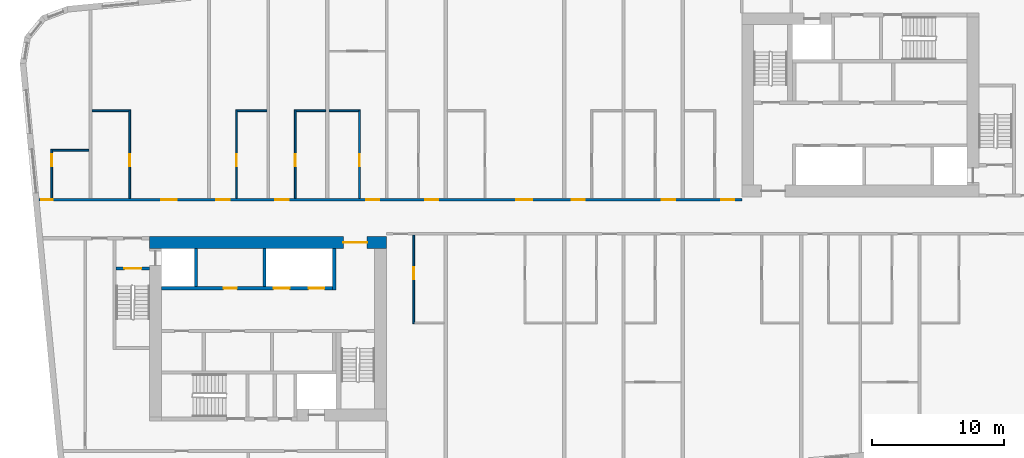
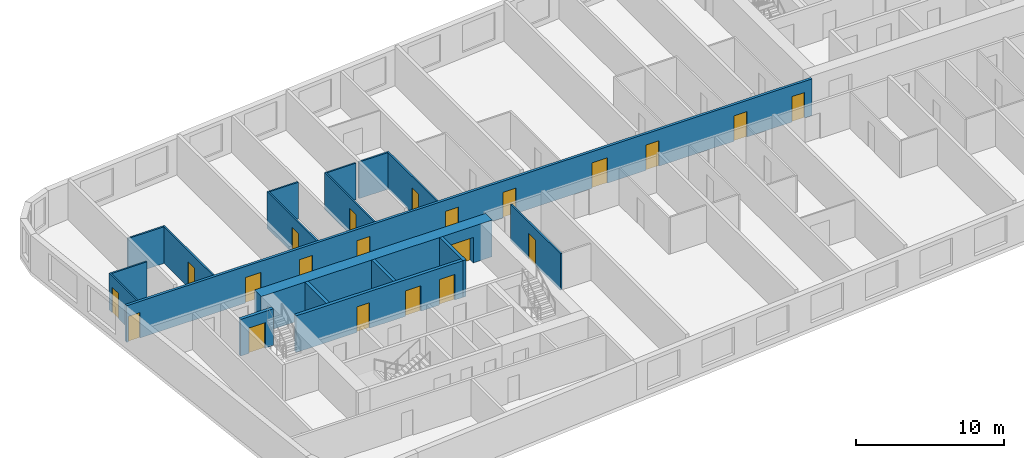
# One storey, part 3 of 12: 21 doors, 18 walls, 21 openings.
"""IFC4 building model written with IfcOpenShell, lengths in metres."""

import ifcopenshell
import ifcopenshell.guid

model = None  # the IFC model being written
_history = None  # IfcOwnerHistory: only IFC2X3 demands one
_inside = {}  # id of a spatial element -> (the spatial element, [elements in it])
_under = {}  # id of a project, library or spatial element -> (it, [spatial elements below it])
_declared = {}  # id of a project -> (the project, [libraries it declares])
_typed = {}  # id of a type object -> (the type object, [elements of that type])
_made_of = {}  # id of a material, layer set ... -> (it, [elements and type objects made of it])


def new_model(schema):
    """Start an empty IFC model of exactly this schema.

    Asked for "IFC4X3", IfcOpenShell would pick the latest addendum, in which some entities
    have other attributes; the version numbers below select the first issue.
    IFC2X3 requires an IfcOwnerHistory on every rooted entity: one is made here for all.
    """
    global model, _history
    if schema == "IFC4X3":
        model = ifcopenshell.file(schema_version=(4, 3, 0, 0))
    else:
        model = ifcopenshell.file(schema=schema)
    _inside.clear()
    _under.clear()
    _declared.clear()
    _typed.clear()
    _made_of.clear()
    _history = None
    if model.schema == "IFC2X3":
        org = make("IfcOrganization", Name="unknown")
        user = make(
            "IfcPersonAndOrganization",
            ThePerson=make("IfcPerson", FamilyName="unknown"),
            TheOrganization=org,
        )
        app = make(
            "IfcApplication",
            ApplicationDeveloper=org,
            Version="unknown",
            ApplicationFullName="unknown",
            ApplicationIdentifier="unknown",
        )
        _history = make(
            "IfcOwnerHistory",
            OwningUser=user,
            OwningApplication=app,
            ChangeAction="ADDED",
            CreationDate=0,
        )
    return model


def make(cls, **values):
    """One entity of the class cls with the attributes given. An attribute that is None is left unset."""
    return model.create_entity(
        cls, **{name: value for name, value in values.items() if value is not None}
    )


def rooted(cls, **values):
    """An entity with a GlobalId (a new one), such as an element, a storey or a relation."""
    return make(cls, GlobalId=ifcopenshell.guid.new(), OwnerHistory=_history, **values)


def si_unit(unit_type, name, prefix=None):
    """IfcSIUnit, for example si_unit("LENGTHUNIT", "METRE", prefix="MILLI")."""
    return make("IfcSIUnit", UnitType=unit_type, Prefix=prefix, Name=name)


def assignment(units):
    """IfcUnitAssignment: the units of a project."""
    return None if units is None else make("IfcUnitAssignment", Units=units)


def point(xyz):
    """IfcCartesianPoint."""
    return None if xyz is None else make("IfcCartesianPoint", Coordinates=xyz)


def direction(xyz):
    """IfcDirection."""
    return None if xyz is None else make("IfcDirection", DirectionRatios=xyz)


def frame(location, z_axis=None, x_axis=None):
    """IfcAxis2Placement3D, a coordinate frame: its origin and axes. An axis left out is left unset."""
    return make(
        "IfcAxis2Placement3D",
        Location=point(location),
        Axis=direction(z_axis),
        RefDirection=direction(x_axis),
    )


def frame_2d(location, x_axis=None):
    """IfcAxis2Placement2D, a coordinate frame in the plane: its origin and x axis."""
    return make(
        "IfcAxis2Placement2D", Location=point(location), RefDirection=direction(x_axis)
    )


def origin():
    """The frame at (0, 0, 0) with its axes left unset."""
    return frame((0.0, 0.0, 0.0))


def place(relative_to, where):
    """IfcLocalPlacement: puts the frame where relative to a parent placement (None: the world)."""
    return make(
        "IfcLocalPlacement", PlacementRelTo=relative_to, RelativePlacement=where
    )


def context(
    kind, dimensions, precision=None, world=None, true_north=None, identifier=None
):
    """IfcGeometricRepresentationContext, for example the 3D "Model" context."""
    return make(
        "IfcGeometricRepresentationContext",
        ContextIdentifier=identifier,
        ContextType=kind,
        CoordinateSpaceDimension=dimensions,
        Precision=precision,
        WorldCoordinateSystem=world,
        TrueNorth=true_north,
    )


def subcontext(parent, identifier, kind, view, scale=None):
    """IfcGeometricRepresentationSubContext, for example "Body" below "Model"."""
    return make(
        "IfcGeometricRepresentationSubContext",
        ContextIdentifier=identifier,
        ContextType=kind,
        ParentContext=parent,
        TargetScale=scale,
        TargetView=view,
    )


def project(units=None, contexts=None):
    """IfcProject with its units and contexts."""
    return rooted(
        "IfcProject",
        Name="project",
        RepresentationContexts=contexts,
        UnitsInContext=assignment(units),
    )


def spatial(cls, under=None, at=None, **own):
    """A site, building, storey or space (cls), placed at a placement, below another one or the project."""
    s = rooted(cls, ObjectPlacement=at, **own)
    if under is not None:
        _under.setdefault(under.id(), (under, []))[1].append(s)
    return s


def profile(cls, at=None, kind="AREA", **sizes):
    """A parametric profile (cls). Its sizes go by their IFC names, for example OverallWidth=200.0."""
    return make(cls, ProfileType=kind, Position=at, **sizes)


def rectangle(**sizes):
    """IfcRectangleProfileDef."""
    return profile("IfcRectangleProfileDef", **sizes)


def extrude(swept, where, along, depth):
    """IfcExtrudedAreaSolid: the profile swept, set in the frame where, extruded along a direction by depth."""
    return make(
        "IfcExtrudedAreaSolid",
        SweptArea=swept,
        Position=where,
        ExtrudedDirection=direction(along),
        Depth=depth,
    )


def shape(context_of_items, identifier, shape_type, items):
    """IfcShapeRepresentation: the items that make up one representation, for example the "Body"."""
    return make(
        "IfcShapeRepresentation",
        ContextOfItems=context_of_items,
        RepresentationIdentifier=identifier,
        RepresentationType=shape_type,
        Items=items,
    )


def material(Name=None, Category=None):
    """IfcMaterial."""
    return make("IfcMaterial", Name=Name, Category=Category)


def layer(
    of_material, thickness, ventilated=None, Name=None, Category=None, Priority=None
):
    """IfcMaterialLayer: one layer of a wall or slab, of a material (None: an air gap)."""
    return make(
        "IfcMaterialLayer",
        Material=of_material,
        LayerThickness=thickness,
        IsVentilated=ventilated,
        Name=Name,
        Category=Category,
        Priority=Priority,
    )


def layer_set(layers, Name=None):
    """IfcMaterialLayerSet."""
    return make("IfcMaterialLayerSet", MaterialLayers=layers, LayerSetName=Name)


def made_of(thing, what):
    """Note that an element or type object is made of a material, layer set ...; save() writes the relation."""
    if what is not None:
        _made_of.setdefault(what.id(), (what, []))[1].append(thing)
    return thing


def type_object(cls, material=None, **own):
    """A type object (cls), such as IfcWallType, which elements share."""
    return made_of(rooted(cls, **own), material)


def element(
    cls,
    number,
    at=None,
    inside=None,
    cuts=None,
    type_object=None,
    material=None,
    context=None,
    identifier="Body",
    shape_type=None,
    held_by="IfcProductDefinitionShape",
    body=None,
    shapes=None,
    **own,
):
    """One element of the class cls, such as IfcWall. Its Tag is "e" and its number.

    at: its placement. inside: the storey or other place that contains it. cuts: it is an
    opening in that element (IfcRelVoidsElement). A single representation is given by context,
    identifier, shape_type and body (its items); several are given by shapes. held_by: the class
    of the entity that holds the representations. save() writes the other relations.
    """
    e = rooted(cls, Tag="e%d" % number, ObjectPlacement=at, **own)
    if body is not None:
        shapes = [shape(context, identifier, shape_type, body)]
    if shapes is not None:
        e.Representation = make(held_by, Representations=shapes)
    if inside is not None:
        _inside.setdefault(inside.id(), (inside, []))[1].append(e)
    if cuts is not None:
        rooted(
            "IfcRelVoidsElement", RelatingBuildingElement=cuts, RelatedOpeningElement=e
        )
    if type_object is not None:
        _typed.setdefault(type_object.id(), (type_object, []))[1].append(e)
    return made_of(e, material)


def fill(opening, filler):
    """IfcRelFillsElement: the door or window that sits in an opening."""
    return rooted(
        "IfcRelFillsElement",
        RelatingOpeningElement=opening,
        RelatedBuildingElement=filler,
    )


def aggregate(whole, parts):
    """IfcRelAggregates: a whole, such as a stair, and the parts it consists of."""
    return rooted("IfcRelAggregates", RelatingObject=whole, RelatedObjects=parts)


def save(model, path):
    """Write the relations noted so far, then the file.

    IfcRelAggregates (storeys below a building ...), IfcRelContainedInSpatialStructure (elements
    in a storey), IfcRelDefinesByType, IfcRelAssociatesMaterial and IfcRelDeclares: one each for
    every whole, place, type object, material and project.
    """
    for whole, parts in _under.values():
        aggregate(whole, parts)
    for where, things in _inside.values():
        rooted(
            "IfcRelContainedInSpatialStructure",
            RelatedElements=things,
            RelatingStructure=where,
        )
    for kind, things in _typed.values():
        rooted("IfcRelDefinesByType", RelatedObjects=things, RelatingType=kind)
    for what, things in _made_of.values():
        rooted("IfcRelAssociatesMaterial", RelatedObjects=things, RelatingMaterial=what)
    for by, libraries in _declared.values():
        rooted("IfcRelDeclares", RelatingContext=by, RelatedDefinitions=libraries)
    model.write(path)


model = new_model("IFC4")

# Units and contexts
model_context = context("Model", 3, precision=1e-05, world=origin(), true_north=direction((0.0, 1.0)))
body_context = subcontext(model_context, "Body", "Model", "MODEL_VIEW")
ifc_project = project(units=[si_unit("LENGTHUNIT", "METRE"), si_unit("AREAUNIT", "SQUARE_METRE"), si_unit("VOLUMEUNIT", "CUBIC_METRE"), si_unit("PLANEANGLEUNIT", "RADIAN"), si_unit("MASSUNIT", "GRAM", prefix="KILO")], contexts=[model_context])

# Site, building, storey
site_placement = place(None, origin())
site = spatial("IfcSite", under=ifc_project, at=site_placement, CompositionType="ELEMENT")
building_placement = place(site_placement, origin())
building = spatial("IfcBuilding", under=site, at=building_placement, Name="Kajstack Hotel Tower", CompositionType="ELEMENT")
storey_placement = place(building_placement, frame((0.0, 0.0, 301.5)))
storey = spatial("IfcBuildingStorey", under=building, at=storey_placement, Name="L76", CompositionType="ELEMENT", Elevation=301.5)

# Wall, opening, door
ifc_material_1 = material(Name="Concrete C60/75", Category="concrete")
ifc_layer_1 = layer(ifc_material_1, 0.89990234375)
ifc_layer_set_1 = layer_set([ifc_layer_1], Name="Core wall 900")
wall_type_1 = type_object("IfcWallType", Name="Core wall 900", PredefinedType="SHEAR", material=ifc_layer_set_1)
wall_1_placement = place(storey_placement, frame((-31.5, -1.949951171875, 0.0), z_axis=(0.0, 0.0, 1.0), x_axis=(1.0, 0.0, 0.0)))
wall_1 = element("IfcWall", 1, at=wall_1_placement, inside=storey, type_object=wall_type_1, Name="Core wall W RN", PredefinedType="SHEAR", context=body_context, shape_type="SweptSolid", body=[
    extrude(rectangle(XDim=18.0, YDim=0.89990234375, at=frame_2d((9.0, 0.0))), origin(), (0.0, 0.0, 1.0), 3.02001953125),
])
opening_1_placement = place(wall_1_placement, frame((14.72509765625, 0.0, 0.0)))
opening_1 = element("IfcOpeningElement", 2, at=opening_1_placement, cuts=wall_1, Name="Opening 76W05", PredefinedType="OPENING", context=body_context, shape_type="SweptSolid", body=[
    extrude(rectangle(XDim=1.800048828125, YDim=2.10009765625, at=frame_2d((0.89990234375, 1.050048828125))), frame((0.0, 0.4599609375, 0.0), z_axis=(0.0, -1.0, 0.0), x_axis=(1.0, 0.0, 0.0)), (0.0, 0.0, 1.0), 0.919921875),
])
ifc_material_2 = material(Name="Glazed steel frame, fire-rated glass", Category="steel")
door_type_1 = type_object("IfcDoorType", Name="Lobby double door 1800", OperationType="DOUBLE_DOOR_DOUBLE_SWING", PredefinedType="DOOR", material=ifc_material_2)
door_1_placement = place(opening_1_placement, origin())
door_1 = element("IfcDoor", 3, at=door_1_placement, inside=storey, type_object=door_type_1, Name="Door 76W05", OperationType="DOUBLE_DOOR_DOUBLE_SWING", OverallHeight=2.10009765625, OverallWidth=1.800048828125, PredefinedType="DOOR", context=body_context, shape_type="SweptSolid", body=[
    extrude(rectangle(XDim=1.800048828125, YDim=2.10009765625, at=frame_2d((0.89990234375, 1.050048828125))), frame((0.0, 0.02490234375, 0.0), z_axis=(0.0, -1.0, 0.0), x_axis=(1.0, 0.0, 0.0)), (0.0, 0.0, 1.0), 0.050048828125),
])
fill(opening_1, door_1)

# Wall, openings, doors
ifc_material_3 = material(Name="Gypsum board on steel studs, mineral wool", Category="steel")
ifc_layer_2 = layer(ifc_material_3, 0.199951171875)
ifc_layer_set_2 = layer_set([ifc_layer_2], Name="Corridor wall 200")
wall_type_2 = type_object("IfcWallType", Name="Corridor wall 200", PredefinedType="PARTITIONING", material=ifc_layer_set_2)
wall_2_placement = place(storey_placement, frame((-39.908935546875, 1.300048828125, 0.0), z_axis=(0.0, 0.0, 1.0), x_axis=(1.0, 0.0, 0.0)))
wall_2 = element("IfcWall", 4, at=wall_2_placement, inside=storey, type_object=wall_type_2, Name="G-wall-L76-003", PredefinedType="PARTITIONING", context=body_context, shape_type="SweptSolid", body=[
    extrude(rectangle(XDim=53.408935546875, YDim=0.199951171875, at=frame_2d((26.70458984375, 0.0))), origin(), (0.0, 0.0, 1.0), 3.02001953125),
])
opening_2_placement = place(wall_2_placement, frame((0.14990234375, 0.0, 0.0)))
opening_2 = element("IfcOpeningElement", 5, at=opening_2_placement, cuts=wall_2, Name="Opening 76001", PredefinedType="OPENING", context=body_context, shape_type="SweptSolid", body=[
    extrude(rectangle(XDim=0.89990234375, YDim=2.10009765625, at=frame_2d((0.449951171875, 1.050048828125))), frame((0.0, 0.10986328125, 0.0), z_axis=(0.0, -1.0, 0.0), x_axis=(1.0, 0.0, 0.0)), (0.0, 0.0, 1.0), 0.219970703125),
])
opening_3_placement = place(wall_2_placement, frame((9.27099609375, 0.0, 0.0)))
opening_3 = element("IfcOpeningElement", 6, at=opening_3_placement, cuts=wall_2, Name="Opening 76003", PredefinedType="OPENING", context=body_context, shape_type="SweptSolid", body=[
    extrude(rectangle(XDim=1.199951171875, YDim=2.10009765625, at=frame_2d((0.60009765625, 1.050048828125))), frame((0.0, 0.10986328125, 0.0), z_axis=(0.0, -1.0, 0.0), x_axis=(1.0, 0.0, 0.0)), (0.0, 0.0, 1.0), 0.219970703125),
])
opening_4_placement = place(wall_2_placement, frame((13.48388671875, 0.0, 0.0)))
opening_4 = element("IfcOpeningElement", 7, at=opening_4_placement, cuts=wall_2, Name="Opening 76005", PredefinedType="OPENING", context=body_context, shape_type="SweptSolid", body=[
    extrude(rectangle(XDim=1.0, YDim=2.10009765625, at=frame_2d((0.5, 1.050048828125))), frame((0.0, 0.10986328125, 0.0), z_axis=(0.0, -1.0, 0.0), x_axis=(1.0, 0.0, 0.0)), (0.0, 0.0, 1.0), 0.219970703125),
])
opening_5_placement = place(wall_2_placement, frame((17.958984375, 0.0, 0.0)))
opening_5 = element("IfcOpeningElement", 8, at=opening_5_placement, cuts=wall_2, Name="Opening 76007", PredefinedType="OPENING", context=body_context, shape_type="SweptSolid", body=[
    extrude(rectangle(XDim=1.0, YDim=2.10009765625, at=frame_2d((0.5, 1.050048828125))), frame((0.0, 0.10986328125, 0.0), z_axis=(0.0, -1.0, 0.0), x_axis=(1.0, 0.0, 0.0)), (0.0, 0.0, 1.0), 0.219970703125),
])
opening_6_placement = place(wall_2_placement, frame((24.85888671875, 0.0, 0.0)))
opening_6 = element("IfcOpeningElement", 9, at=opening_6_placement, cuts=wall_2, Name="Opening 76009", PredefinedType="OPENING", context=body_context, shape_type="SweptSolid", body=[
    extrude(rectangle(XDim=1.0, YDim=2.10009765625, at=frame_2d((0.5, 1.050048828125))), frame((0.0, 0.10986328125, 0.0), z_axis=(0.0, -1.0, 0.0), x_axis=(1.0, 0.0, 0.0)), (0.0, 0.0, 1.0), 0.219970703125),
])
opening_7_placement = place(wall_2_placement, frame((29.333984375, 0.0, 0.0)))
opening_7 = element("IfcOpeningElement", 10, at=opening_7_placement, cuts=wall_2, Name="Opening 76012", PredefinedType="OPENING", context=body_context, shape_type="SweptSolid", body=[
    extrude(rectangle(XDim=1.0, YDim=2.10009765625, at=frame_2d((0.5, 1.050048828125))), frame((0.0, 0.10986328125, 0.0), z_axis=(0.0, -1.0, 0.0), x_axis=(1.0, 0.0, 0.0)), (0.0, 0.0, 1.0), 0.219970703125),
])
opening_8_placement = place(wall_2_placement, frame((36.27099609375, 0.0, 0.0)))
opening_8 = element("IfcOpeningElement", 11, at=opening_8_placement, cuts=wall_2, Name="Opening 76014", PredefinedType="OPENING", context=body_context, shape_type="SweptSolid", body=[
    extrude(rectangle(XDim=1.199951171875, YDim=2.10009765625, at=frame_2d((0.60009765625, 1.050048828125))), frame((0.0, 0.10986328125, 0.0), z_axis=(0.0, -1.0, 0.0), x_axis=(1.0, 0.0, 0.0)), (0.0, 0.0, 1.0), 0.219970703125),
])
opening_9_placement = place(wall_2_placement, frame((40.48388671875, 0.0, 0.0)))
opening_9 = element("IfcOpeningElement", 12, at=opening_9_placement, cuts=wall_2, Name="Opening 76016", PredefinedType="OPENING", context=body_context, shape_type="SweptSolid", body=[
    extrude(rectangle(XDim=1.0, YDim=2.10009765625, at=frame_2d((0.5, 1.050048828125))), frame((0.0, 0.10986328125, 0.0), z_axis=(0.0, -1.0, 0.0), x_axis=(1.0, 0.0, 0.0)), (0.0, 0.0, 1.0), 0.219970703125),
])
opening_10_placement = place(wall_2_placement, frame((47.333984375, 0.0, 0.0)))
opening_10 = element("IfcOpeningElement", 13, at=opening_10_placement, cuts=wall_2, Name="Opening 76018", PredefinedType="OPENING", context=body_context, shape_type="SweptSolid", body=[
    extrude(rectangle(XDim=1.0, YDim=2.10009765625, at=frame_2d((0.5, 1.050048828125))), frame((0.0, 0.10986328125, 0.0), z_axis=(0.0, -1.0, 0.0), x_axis=(1.0, 0.0, 0.0)), (0.0, 0.0, 1.0), 0.219970703125),
])
opening_11_placement = place(wall_2_placement, frame((51.833984375, 0.0, 0.0)))
opening_11 = element("IfcOpeningElement", 14, at=opening_11_placement, cuts=wall_2, Name="Opening 76020", PredefinedType="OPENING", context=body_context, shape_type="SweptSolid", body=[
    extrude(rectangle(XDim=1.0, YDim=2.10009765625, at=frame_2d((0.5, 1.050048828125))), frame((0.0, 0.10986328125, 0.0), z_axis=(0.0, -1.0, 0.0), x_axis=(1.0, 0.0, 0.0)), (0.0, 0.0, 1.0), 0.219970703125),
])
ifc_material_4 = material(Name="Oak veneer on timber core, fire-rated leaf", Category="wood")
door_type_2 = type_object("IfcDoorType", Name="Flat entrance door 1000", OperationType="SINGLE_SWING_LEFT", PredefinedType="DOOR", material=ifc_material_4)
door_2_placement = place(opening_4_placement, origin())
door_2 = element("IfcDoor", 15, at=door_2_placement, inside=storey, type_object=door_type_2, Name="G-door-L76-05", OperationType="SINGLE_SWING_LEFT", OverallHeight=2.10009765625, OverallWidth=1.0, PredefinedType="DOOR", context=body_context, shape_type="SweptSolid", body=[
    extrude(rectangle(XDim=1.0, YDim=2.10009765625, at=frame_2d((0.5, 1.050048828125))), frame((0.0, 0.02490234375, 0.0), z_axis=(0.0, -1.0, 0.0), x_axis=(1.0, 0.0, 0.0)), (0.0, 0.0, 1.0), 0.050048828125),
])
fill(opening_4, door_2)
door_3_placement = place(opening_5_placement, origin())
door_3 = element("IfcDoor", 16, at=door_3_placement, inside=storey, type_object=door_type_2, Name="G-door-L76-07", OperationType="SINGLE_SWING_RIGHT", OverallHeight=2.10009765625, OverallWidth=1.0, PredefinedType="DOOR", context=body_context, shape_type="SweptSolid", body=[
    extrude(rectangle(XDim=1.0, YDim=2.10009765625, at=frame_2d((0.5, 1.050048828125))), frame((0.0, 0.02490234375, 0.0), z_axis=(0.0, -1.0, 0.0), x_axis=(1.0, 0.0, 0.0)), (0.0, 0.0, 1.0), 0.050048828125),
])
fill(opening_5, door_3)
door_4_placement = place(opening_6_placement, origin())
door_4 = element("IfcDoor", 17, at=door_4_placement, inside=storey, type_object=door_type_2, Name="G-door-L76-09", OperationType="SINGLE_SWING_LEFT", OverallHeight=2.10009765625, OverallWidth=1.0, PredefinedType="DOOR", context=body_context, shape_type="SweptSolid", body=[
    extrude(rectangle(XDim=1.0, YDim=2.10009765625, at=frame_2d((0.5, 1.050048828125))), frame((0.0, 0.02490234375, 0.0), z_axis=(0.0, -1.0, 0.0), x_axis=(1.0, 0.0, 0.0)), (0.0, 0.0, 1.0), 0.050048828125),
])
fill(opening_6, door_4)
door_5_placement = place(opening_7_placement, origin())
door_5 = element("IfcDoor", 18, at=door_5_placement, inside=storey, type_object=door_type_2, Name="G-door-L76-12", OperationType="SINGLE_SWING_RIGHT", OverallHeight=2.10009765625, OverallWidth=1.0, PredefinedType="DOOR", context=body_context, shape_type="SweptSolid", body=[
    extrude(rectangle(XDim=1.0, YDim=2.10009765625, at=frame_2d((0.5, 1.050048828125))), frame((0.0, 0.02490234375, 0.0), z_axis=(0.0, -1.0, 0.0), x_axis=(1.0, 0.0, 0.0)), (0.0, 0.0, 1.0), 0.050048828125),
])
fill(opening_7, door_5)
door_6_placement = place(opening_9_placement, origin())
door_6 = element("IfcDoor", 19, at=door_6_placement, inside=storey, type_object=door_type_2, Name="G-door-L76-16", OperationType="SINGLE_SWING_RIGHT", OverallHeight=2.10009765625, OverallWidth=1.0, PredefinedType="DOOR", context=body_context, shape_type="SweptSolid", body=[
    extrude(rectangle(XDim=1.0, YDim=2.10009765625, at=frame_2d((0.5, 1.050048828125))), frame((0.0, 0.02490234375, 0.0), z_axis=(0.0, -1.0, 0.0), x_axis=(1.0, 0.0, 0.0)), (0.0, 0.0, 1.0), 0.050048828125),
])
fill(opening_9, door_6)
door_7_placement = place(opening_10_placement, origin())
door_7 = element("IfcDoor", 20, at=door_7_placement, inside=storey, type_object=door_type_2, Name="G-door-L76-18", OperationType="SINGLE_SWING_LEFT", OverallHeight=2.10009765625, OverallWidth=1.0, PredefinedType="DOOR", context=body_context, shape_type="SweptSolid", body=[
    extrude(rectangle(XDim=1.0, YDim=2.10009765625, at=frame_2d((0.5, 1.050048828125))), frame((0.0, 0.02490234375, 0.0), z_axis=(0.0, -1.0, 0.0), x_axis=(1.0, 0.0, 0.0)), (0.0, 0.0, 1.0), 0.050048828125),
])
fill(opening_10, door_7)
door_8_placement = place(opening_11_placement, origin())
door_8 = element("IfcDoor", 21, at=door_8_placement, inside=storey, type_object=door_type_2, Name="G-door-L76-20", OperationType="SINGLE_SWING_RIGHT", OverallHeight=2.10009765625, OverallWidth=1.0, PredefinedType="DOOR", context=body_context, shape_type="SweptSolid", body=[
    extrude(rectangle(XDim=1.0, YDim=2.10009765625, at=frame_2d((0.5, 1.050048828125))), frame((0.0, 0.02490234375, 0.0), z_axis=(0.0, -1.0, 0.0), x_axis=(1.0, 0.0, 0.0)), (0.0, 0.0, 1.0), 0.050048828125),
])
fill(opening_11, door_8)
door_type_3 = type_object("IfcDoorType", Name="Flat entrance door 1200", OperationType="SINGLE_SWING_LEFT", PredefinedType="DOOR", material=ifc_material_4)
door_9_placement = place(opening_3_placement, origin())
door_9 = element("IfcDoor", 22, at=door_9_placement, inside=storey, type_object=door_type_3, Name="G-door-L76-03", OperationType="SINGLE_SWING_LEFT", OverallHeight=2.10009765625, OverallWidth=1.199951171875, PredefinedType="DOOR", context=body_context, shape_type="SweptSolid", body=[
    extrude(rectangle(XDim=1.199951171875, YDim=2.10009765625, at=frame_2d((0.60009765625, 1.050048828125))), frame((0.0, 0.02490234375, 0.0), z_axis=(0.0, -1.0, 0.0), x_axis=(1.0, 0.0, 0.0)), (0.0, 0.0, 1.0), 0.050048828125),
])
fill(opening_3, door_9)
door_10_placement = place(opening_8_placement, origin())
door_10 = element("IfcDoor", 23, at=door_10_placement, inside=storey, type_object=door_type_3, Name="G-door-L76-14", OperationType="SINGLE_SWING_RIGHT", OverallHeight=2.10009765625, OverallWidth=1.199951171875, PredefinedType="DOOR", context=body_context, shape_type="SweptSolid", body=[
    extrude(rectangle(XDim=1.199951171875, YDim=2.10009765625, at=frame_2d((0.60009765625, 1.050048828125))), frame((0.0, 0.02490234375, 0.0), z_axis=(0.0, -1.0, 0.0), x_axis=(1.0, 0.0, 0.0)), (0.0, 0.0, 1.0), 0.050048828125),
])
fill(opening_8, door_10)
ifc_material_5 = material(Name="Painted timber door leaf", Category="wood")
door_type_4 = type_object("IfcDoorType", Name="Room door 900", OperationType="SINGLE_SWING_LEFT", PredefinedType="DOOR", material=ifc_material_5)
door_11_placement = place(opening_2_placement, origin())
door_11 = element("IfcDoor", 24, at=door_11_placement, inside=storey, type_object=door_type_4, Name="G-door-L76-01", OperationType="SINGLE_SWING_LEFT", OverallHeight=2.10009765625, OverallWidth=0.89990234375, PredefinedType="DOOR", context=body_context, shape_type="SweptSolid", body=[
    extrude(rectangle(XDim=0.89990234375, YDim=2.10009765625, at=frame_2d((0.449951171875, 1.050048828125))), frame((0.0, 0.02490234375, 0.0), z_axis=(0.0, -1.0, 0.0), x_axis=(1.0, 0.0, 0.0)), (0.0, 0.0, 1.0), 0.050048828125),
])
fill(opening_2, door_11)

# Wall, opening, door
ifc_material_6 = material(Name="Gypsum board and tiled backer on steel studs", Category="steel")
ifc_layer_3 = layer(ifc_material_6, 0.125)
ifc_layer_set_3 = layer_set([ifc_layer_3], Name="En-suite wall 125")
wall_type_3 = type_object("IfcWallType", Name="En-suite wall 125", PredefinedType="PARTITIONING", material=ifc_layer_set_3)
wall_3_placement = place(storey_placement, frame((-38.93994140625, 1.39990234375, 0.0), z_axis=(0.0, 0.0, 1.0), x_axis=(0.0, 1.0, 0.0)))
wall_3 = element("IfcWall", 25, at=wall_3_placement, inside=storey, type_object=wall_type_3, Name="G-wall-L76-004", PredefinedType="PARTITIONING", context=body_context, shape_type="SweptSolid", body=[
    extrude(rectangle(XDim=3.72509765625, YDim=0.125, at=frame_2d((1.862548828125, 0.0))), origin(), (0.0, 0.0, 1.0), 3.02001953125),
])
opening_12_placement = place(wall_3_placement, frame((2.449951171875, 0.0, 0.0)))
opening_12 = element("IfcOpeningElement", 26, at=opening_12_placement, cuts=wall_3, Name="Opening 76002", PredefinedType="OPENING", context=body_context, shape_type="SweptSolid", body=[
    extrude(rectangle(XDim=0.89990234375, YDim=2.10009765625, at=frame_2d((0.449951171875, 1.050048828125))), frame((0.0, 0.072509765625, 0.0), z_axis=(0.0, -1.0, 0.0), x_axis=(1.0, 0.0, 0.0)), (0.0, 0.0, 1.0), 0.14501953125),
])
door_12_placement = place(opening_12_placement, origin())
door_12 = element("IfcDoor", 27, at=door_12_placement, inside=storey, type_object=door_type_4, Name="G-door-L76-02", OperationType="SINGLE_SWING_RIGHT", OverallHeight=2.10009765625, OverallWidth=0.89990234375, PredefinedType="DOOR", context=body_context, shape_type="SweptSolid", body=[
    extrude(rectangle(XDim=0.89990234375, YDim=2.10009765625, at=frame_2d((0.449951171875, 1.050048828125))), frame((0.0, 0.02490234375, 0.0), z_axis=(0.0, -1.0, 0.0), x_axis=(1.0, 0.0, 0.0)), (0.0, 0.0, 1.0), 0.050048828125),
])
fill(opening_12, door_12)

# Wall
wall_4_placement = place(storey_placement, frame((-38.8779296875, 5.06201171875, 0.0), z_axis=(0.0, 0.0, 1.0), x_axis=(1.0, 0.0, 0.0)))
element("IfcWall", 28, at=wall_4_placement, inside=storey, type_object=wall_type_3, Name="G-wall-L76-005", PredefinedType="PARTITIONING", context=body_context, shape_type="SweptSolid", body=[
    extrude(rectangle(XDim=2.7529296875, YDim=0.125, at=frame_2d((1.37646484375, 0.0))), origin(), (0.0, 0.0, 1.0), 3.02001953125),
])

# Wall, opening, door
wall_5_placement = place(storey_placement, frame((-33.012939453125, 1.39990234375, 0.0), z_axis=(0.0, 0.0, 1.0), x_axis=(0.0, 1.0, 0.0)))
wall_5 = element("IfcWall", 29, at=wall_5_placement, inside=storey, type_object=wall_type_3, Name="G-wall-L76-006", PredefinedType="PARTITIONING", context=body_context, shape_type="SweptSolid", body=[
    extrude(rectangle(XDim=6.72509765625, YDim=0.125, at=frame_2d((3.362548828125, 0.0))), origin(), (0.0, 0.0, 1.0), 3.02001953125),
])
opening_13_placement = place(wall_5_placement, frame((2.449951171875, 0.0, 0.0)))
opening_13 = element("IfcOpeningElement", 30, at=opening_13_placement, cuts=wall_5, Name="Opening 76004", PredefinedType="OPENING", context=body_context, shape_type="SweptSolid", body=[
    extrude(rectangle(XDim=0.89990234375, YDim=2.10009765625, at=frame_2d((0.449951171875, 1.050048828125))), frame((0.0, 0.072509765625, 0.0), z_axis=(0.0, -1.0, 0.0), x_axis=(1.0, 0.0, 0.0)), (0.0, 0.0, 1.0), 0.14501953125),
])
door_13_placement = place(opening_13_placement, origin())
door_13 = element("IfcDoor", 31, at=door_13_placement, inside=storey, type_object=door_type_4, Name="G-door-L76-04", OperationType="SINGLE_SWING_LEFT", OverallHeight=2.10009765625, OverallWidth=0.89990234375, PredefinedType="DOOR", context=body_context, shape_type="SweptSolid", body=[
    extrude(rectangle(XDim=0.89990234375, YDim=2.10009765625, at=frame_2d((0.449951171875, 1.050048828125))), frame((0.0, 0.02490234375, 0.0), z_axis=(0.0, -1.0, 0.0), x_axis=(1.0, 0.0, 0.0)), (0.0, 0.0, 1.0), 0.050048828125),
])
fill(opening_13, door_13)

# Wall
wall_6_placement = place(storey_placement, frame((-35.875, 8.06201171875, 0.0), z_axis=(0.0, 0.0, 1.0), x_axis=(1.0, 0.0, 0.0)))
element("IfcWall", 32, at=wall_6_placement, inside=storey, type_object=wall_type_3, Name="G-wall-L76-007", PredefinedType="PARTITIONING", context=body_context, shape_type="SweptSolid", body=[
    extrude(rectangle(XDim=2.800048828125, YDim=0.125, at=frame_2d((1.39990234375, 0.0))), origin(), (0.0, 0.0, 1.0), 3.02001953125),
])

# Wall, opening, door
wall_7_placement = place(storey_placement, frame((-24.9130859375, 1.39990234375, 0.0), z_axis=(0.0, 0.0, 1.0), x_axis=(0.0, 1.0, 0.0)))
wall_7 = element("IfcWall", 33, at=wall_7_placement, inside=storey, type_object=wall_type_3, Name="G-wall-L76-009", PredefinedType="PARTITIONING", context=body_context, shape_type="SweptSolid", body=[
    extrude(rectangle(XDim=6.72509765625, YDim=0.125, at=frame_2d((3.362548828125, 0.0))), origin(), (0.0, 0.0, 1.0), 3.02001953125),
])
opening_14_placement = place(wall_7_placement, frame((2.449951171875, 0.0, 0.0)))
opening_14 = element("IfcOpeningElement", 34, at=opening_14_placement, cuts=wall_7, Name="Opening 76006", PredefinedType="OPENING", context=body_context, shape_type="SweptSolid", body=[
    extrude(rectangle(XDim=0.89990234375, YDim=2.10009765625, at=frame_2d((0.449951171875, 1.050048828125))), frame((0.0, 0.072509765625, 0.0), z_axis=(0.0, -1.0, 0.0), x_axis=(1.0, 0.0, 0.0)), (0.0, 0.0, 1.0), 0.14501953125),
])
door_14_placement = place(opening_14_placement, origin())
door_14 = element("IfcDoor", 35, at=door_14_placement, inside=storey, type_object=door_type_4, Name="G-door-L76-06", OperationType="SINGLE_SWING_LEFT", OverallHeight=2.10009765625, OverallWidth=0.89990234375, PredefinedType="DOOR", context=body_context, shape_type="SweptSolid", body=[
    extrude(rectangle(XDim=0.89990234375, YDim=2.10009765625, at=frame_2d((0.449951171875, 1.050048828125))), frame((0.0, 0.02490234375, 0.0), z_axis=(0.0, -1.0, 0.0), x_axis=(1.0, 0.0, 0.0)), (0.0, 0.0, 1.0), 0.050048828125),
])
fill(opening_14, door_14)

# Wall
wall_8_placement = place(storey_placement, frame((-24.85009765625, 8.06201171875, 0.0), z_axis=(0.0, 0.0, 1.0), x_axis=(1.0, 0.0, 0.0)))
element("IfcWall", 36, at=wall_8_placement, inside=storey, type_object=wall_type_3, Name="G-wall-L76-010", PredefinedType="PARTITIONING", context=body_context, shape_type="SweptSolid", body=[
    extrude(rectangle(XDim=2.25, YDim=0.125, at=frame_2d((1.125, 0.0))), origin(), (0.0, 0.0, 1.0), 3.02001953125),
])

# Wall, opening, door
wall_9_placement = place(storey_placement, frame((-20.43798828125, 1.39990234375, 0.0), z_axis=(0.0, 0.0, 1.0), x_axis=(0.0, 1.0, 0.0)))
wall_9 = element("IfcWall", 37, at=wall_9_placement, inside=storey, type_object=wall_type_3, Name="G-wall-L76-011", PredefinedType="PARTITIONING", context=body_context, shape_type="SweptSolid", body=[
    extrude(rectangle(XDim=6.72509765625, YDim=0.125, at=frame_2d((3.362548828125, 0.0))), origin(), (0.0, 0.0, 1.0), 3.02001953125),
])
opening_15_placement = place(wall_9_placement, frame((2.449951171875, 0.0, 0.0)))
opening_15 = element("IfcOpeningElement", 38, at=opening_15_placement, cuts=wall_9, Name="Opening 76008", PredefinedType="OPENING", context=body_context, shape_type="SweptSolid", body=[
    extrude(rectangle(XDim=0.89990234375, YDim=2.10009765625, at=frame_2d((0.449951171875, 1.050048828125))), frame((0.0, 0.072509765625, 0.0), z_axis=(0.0, -1.0, 0.0), x_axis=(1.0, 0.0, 0.0)), (0.0, 0.0, 1.0), 0.14501953125),
])
door_15_placement = place(opening_15_placement, origin())
door_15 = element("IfcDoor", 39, at=door_15_placement, inside=storey, type_object=door_type_4, Name="G-door-L76-08", OperationType="SINGLE_SWING_RIGHT", OverallHeight=2.10009765625, OverallWidth=0.89990234375, PredefinedType="DOOR", context=body_context, shape_type="SweptSolid", body=[
    extrude(rectangle(XDim=0.89990234375, YDim=2.10009765625, at=frame_2d((0.449951171875, 1.050048828125))), frame((0.0, 0.02490234375, 0.0), z_axis=(0.0, -1.0, 0.0), x_axis=(1.0, 0.0, 0.0)), (0.0, 0.0, 1.0), 0.050048828125),
])
fill(opening_15, door_15)

# Wall
wall_10_placement = place(storey_placement, frame((-20.375, 8.06201171875, 0.0), z_axis=(0.0, 0.0, 1.0), x_axis=(1.0, 0.0, 0.0)))
element("IfcWall", 40, at=wall_10_placement, inside=storey, type_object=wall_type_3, Name="G-wall-L76-012", PredefinedType="PARTITIONING", context=body_context, shape_type="SweptSolid", body=[
    extrude(rectangle(XDim=2.25, YDim=0.125, at=frame_2d((1.125, 0.0))), origin(), (0.0, 0.0, 1.0), 3.02001953125),
])

# Wall, opening, door
wall_11_placement = place(storey_placement, frame((-15.56201171875, 1.39990234375, 0.0), z_axis=(0.0, 0.0, 1.0), x_axis=(0.0, 1.0, 0.0)))
wall_11 = element("IfcWall", 41, at=wall_11_placement, inside=storey, type_object=wall_type_3, Name="G-wall-L76-014", PredefinedType="PARTITIONING", context=body_context, shape_type="SweptSolid", body=[
    extrude(rectangle(XDim=6.72509765625, YDim=0.125, at=frame_2d((3.362548828125, 0.0))), origin(), (0.0, 0.0, 1.0), 3.02001953125),
])
opening_16_placement = place(wall_11_placement, frame((2.449951171875, 0.0, 0.0)))
opening_16 = element("IfcOpeningElement", 42, at=opening_16_placement, cuts=wall_11, Name="Opening 76010", PredefinedType="OPENING", context=body_context, shape_type="SweptSolid", body=[
    extrude(rectangle(XDim=0.89990234375, YDim=2.10009765625, at=frame_2d((0.449951171875, 1.050048828125))), frame((0.0, 0.072509765625, 0.0), z_axis=(0.0, -1.0, 0.0), x_axis=(1.0, 0.0, 0.0)), (0.0, 0.0, 1.0), 0.14501953125),
])
door_16_placement = place(opening_16_placement, origin())
door_16 = element("IfcDoor", 43, at=door_16_placement, inside=storey, type_object=door_type_4, Name="G-door-L76-10", OperationType="SINGLE_SWING_RIGHT", OverallHeight=2.10009765625, OverallWidth=0.89990234375, PredefinedType="DOOR", context=body_context, shape_type="SweptSolid", body=[
    extrude(rectangle(XDim=0.89990234375, YDim=2.10009765625, at=frame_2d((0.449951171875, 1.050048828125))), frame((0.0, 0.02490234375, 0.0), z_axis=(0.0, -1.0, 0.0), x_axis=(1.0, 0.0, 0.0)), (0.0, 0.0, 1.0), 0.050048828125),
])
fill(opening_16, door_16)

# Wall
wall_12_placement = place(storey_placement, frame((-17.875, 8.06201171875, 0.0), z_axis=(0.0, 0.0, 1.0), x_axis=(1.0, 0.0, 0.0)))
element("IfcWall", 44, at=wall_12_placement, inside=storey, type_object=wall_type_3, Name="G-wall-L76-015", PredefinedType="PARTITIONING", context=body_context, shape_type="SweptSolid", body=[
    extrude(rectangle(XDim=2.25, YDim=0.125, at=frame_2d((1.125, 0.0))), origin(), (0.0, 0.0, 1.0), 3.02001953125),
])

# Wall, opening, door
wall_13_placement = place(storey_placement, frame((-11.43798828125, -8.125, 0.0), z_axis=(0.0, 0.0, 1.0), x_axis=(0.0, 1.0, 0.0)))
wall_13 = element("IfcWall", 45, at=wall_13_placement, inside=storey, type_object=wall_type_3, Name="G-wall-L76-029", PredefinedType="PARTITIONING", context=body_context, shape_type="SweptSolid", body=[
    extrude(rectangle(XDim=6.72509765625, YDim=0.125, at=frame_2d((3.362548828125, 0.0))), origin(), (0.0, 0.0, 1.0), 3.02001953125),
])
opening_17_placement = place(wall_13_placement, frame((3.375, 0.0, 0.0)))
opening_17 = element("IfcOpeningElement", 46, at=opening_17_placement, cuts=wall_13, Name="Opening 76023", PredefinedType="OPENING", context=body_context, shape_type="SweptSolid", body=[
    extrude(rectangle(XDim=0.89990234375, YDim=2.10009765625, at=frame_2d((0.449951171875, 1.050048828125))), frame((0.0, 0.072509765625, 0.0), z_axis=(0.0, -1.0, 0.0), x_axis=(1.0, 0.0, 0.0)), (0.0, 0.0, 1.0), 0.14501953125),
])
door_17_placement = place(opening_17_placement, origin())
door_17 = element("IfcDoor", 47, at=door_17_placement, inside=storey, type_object=door_type_4, Name="G-door-L76-23", OperationType="SINGLE_SWING_LEFT", OverallHeight=2.10009765625, OverallWidth=0.89990234375, PredefinedType="DOOR", context=body_context, shape_type="SweptSolid", body=[
    extrude(rectangle(XDim=0.89990234375, YDim=2.10009765625, at=frame_2d((0.449951171875, 1.050048828125))), frame((0.0, 0.02490234375, 0.0), z_axis=(0.0, -1.0, 0.0), x_axis=(1.0, 0.0, 0.0)), (0.0, 0.0, 1.0), 0.050048828125),
])
fill(opening_17, door_17)

# Wall
ifc_material_7 = material(Name="Concrete C50/60", Category="concrete")
ifc_layer_4 = layer(ifc_material_7, 0.300048828125)
ifc_layer_set_4 = layer_set([ifc_layer_4], Name="Hoistway divider wall 300")
wall_type_4 = type_object("IfcWallType", Name="Hoistway divider wall 300", PredefinedType="SHEAR", material=ifc_layer_set_4)
wall_14_placement = place(storey_placement, frame((-22.77490234375, -5.300048828125, 0.0), z_axis=(0.0, 0.0, 1.0), x_axis=(0.0, 1.0, 0.0)))
element("IfcWall", 48, at=wall_14_placement, inside=storey, type_object=wall_type_4, Name="Core wall W AP2", PredefinedType="SHEAR", context=body_context, shape_type="SweptSolid", body=[
    extrude(rectangle(XDim=2.900146484375, YDim=0.25, at=frame_2d((1.4501953125, 0.0))), origin(), (0.0, 0.0, 1.0), 3.02001953125),
])

# Wall, openings, doors
ifc_layer_5 = layer(ifc_material_7, 0.25)
ifc_layer_set_5 = layer_set([ifc_layer_5], Name="Shaft wall 250")
wall_type_5 = type_object("IfcWallType", Name="Shaft wall 250", PredefinedType="SHEAR", material=ifc_layer_set_5)
wall_15_placement = place(storey_placement, frame((-30.60009765625, -5.425048828125, 0.0), z_axis=(0.0, 0.0, 1.0), x_axis=(1.0, 0.0, 0.0)))
wall_15 = element("IfcWall", 49, at=wall_15_placement, inside=storey, type_object=wall_type_5, Name="Core wall W FA", PredefinedType="SHEAR", context=body_context, shape_type="SweptSolid", body=[
    extrude(rectangle(XDim=13.0, YDim=0.25, at=frame_2d((6.5, 0.0))), origin(), (0.0, 0.0, 1.0), 3.02001953125),
])
opening_18_placement = place(wall_15_placement, frame((8.52490234375, 0.0, 0.0)))
opening_18 = element("IfcOpeningElement", 50, at=opening_18_placement, cuts=wall_15, Name="Opening LD-HR1", PredefinedType="OPENING", context=body_context, shape_type="SweptSolid", body=[
    extrude(rectangle(XDim=1.199951171875, YDim=2.10009765625, at=frame_2d((0.60009765625, 1.050048828125))), frame((0.0, 0.135009765625, 0.0), z_axis=(0.0, -1.0, 0.0), x_axis=(1.0, 0.0, 0.0)), (0.0, 0.0, 1.0), 0.27001953125),
])
opening_19_placement = place(wall_15_placement, frame((11.175048828125, 0.0, 0.0)))
opening_19 = element("IfcOpeningElement", 51, at=opening_19_placement, cuts=wall_15, Name="Opening LD-HR2", PredefinedType="OPENING", context=body_context, shape_type="SweptSolid", body=[
    extrude(rectangle(XDim=1.199951171875, YDim=2.10009765625, at=frame_2d((0.60009765625, 1.050048828125))), frame((0.0, 0.135009765625, 0.0), z_axis=(0.0, -1.0, 0.0), x_axis=(1.0, 0.0, 0.0)), (0.0, 0.0, 1.0), 0.27001953125),
])
opening_20_placement = place(wall_15_placement, frame((4.72509765625, 0.0, 0.0)))
opening_20 = element("IfcOpeningElement", 52, at=opening_20_placement, cuts=wall_15, Name="Opening 76W16", PredefinedType="OPENING", context=body_context, shape_type="SweptSolid", body=[
    extrude(rectangle(XDim=1.0, YDim=2.10009765625, at=frame_2d((0.5, 1.050048828125))), frame((0.0, 0.135009765625, 0.0), z_axis=(0.0, -1.0, 0.0), x_axis=(1.0, 0.0, 0.0)), (0.0, 0.0, 1.0), 0.27001953125),
])
ifc_material_8 = material(Name="Stainless steel", Category="steel")
door_type_5 = type_object("IfcDoorType", Name="Lift landing door 1200", OperationType="SLIDING_TO_LEFT", PredefinedType="DOOR", material=ifc_material_8)
door_18_placement = place(opening_18_placement, origin())
door_18 = element("IfcDoor", 53, at=door_18_placement, inside=storey, type_object=door_type_5, Name="Landing door HR1", OperationType="SLIDING_TO_LEFT", OverallHeight=2.10009765625, OverallWidth=1.199951171875, PredefinedType="DOOR", context=body_context, shape_type="SweptSolid", body=[
    extrude(rectangle(XDim=1.199951171875, YDim=2.10009765625, at=frame_2d((0.60009765625, 1.050048828125))), frame((0.0, 0.02490234375, 0.0), z_axis=(0.0, -1.0, 0.0), x_axis=(1.0, 0.0, 0.0)), (0.0, 0.0, 1.0), 0.050048828125),
])
fill(opening_18, door_18)
door_19_placement = place(opening_19_placement, origin())
door_19 = element("IfcDoor", 54, at=door_19_placement, inside=storey, type_object=door_type_5, Name="Landing door HR2", OperationType="SLIDING_TO_RIGHT", OverallHeight=2.10009765625, OverallWidth=1.199951171875, PredefinedType="DOOR", context=body_context, shape_type="SweptSolid", body=[
    extrude(rectangle(XDim=1.199951171875, YDim=2.10009765625, at=frame_2d((0.60009765625, 1.050048828125))), frame((0.0, 0.02490234375, 0.0), z_axis=(0.0, -1.0, 0.0), x_axis=(1.0, 0.0, 0.0)), (0.0, 0.0, 1.0), 0.050048828125),
])
fill(opening_19, door_19)
ifc_material_9 = material(Name="Timber leaf, fire-rated", Category="wood")
door_type_6 = type_object("IfcDoorType", Name="Service room door 1000", OperationType="SINGLE_SWING_LEFT", PredefinedType="DOOR", material=ifc_material_9)
door_20_placement = place(opening_20_placement, origin())
door_20 = element("IfcDoor", 55, at=door_20_placement, inside=storey, type_object=door_type_6, Name="Door 76W16", OperationType="SINGLE_SWING_RIGHT", OverallHeight=2.10009765625, OverallWidth=1.0, PredefinedType="DOOR", context=body_context, shape_type="SweptSolid", body=[
    extrude(rectangle(XDim=1.0, YDim=2.10009765625, at=frame_2d((0.5, 1.050048828125))), frame((0.0, 0.02490234375, 0.0), z_axis=(0.0, -1.0, 0.0), x_axis=(1.0, 0.0, 0.0)), (0.0, 0.0, 1.0), 0.050048828125),
])
fill(opening_20, door_20)

# Walls
wall_16_placement = place(storey_placement, frame((-17.47509765625, -5.550048828125, 0.0), z_axis=(0.0, 0.0, 1.0), x_axis=(0.0, 1.0, 0.0)))
element("IfcWall", 56, at=wall_16_placement, inside=storey, type_object=wall_type_5, Name="Core wall W AE", PredefinedType="SHEAR", context=body_context, shape_type="SweptSolid", body=[
    extrude(rectangle(XDim=3.150146484375, YDim=0.25, at=frame_2d((1.5751953125, 0.0))), origin(), (0.0, 0.0, 1.0), 3.02001953125),
])
wall_17_placement = place(storey_placement, frame((-27.97509765625, -5.300048828125, 0.0), z_axis=(0.0, 0.0, 1.0), x_axis=(0.0, 1.0, 0.0)))
element("IfcWall", 57, at=wall_17_placement, inside=storey, type_object=wall_type_5, Name="Core wall W AP0", PredefinedType="SHEAR", context=body_context, shape_type="SweptSolid", body=[
    extrude(rectangle(XDim=2.900146484375, YDim=0.25, at=frame_2d((1.4501953125, 0.0))), origin(), (0.0, 0.0, 1.0), 3.02001953125),
])

# Wall, opening, door
ifc_material_10 = material(Name="Concrete C40/50", Category="concrete")
ifc_layer_6 = layer(ifc_material_10, 0.25)
ifc_layer_set_6 = layer_set([ifc_layer_6], Name="Stair enclosure wall 250")
wall_type_6 = type_object("IfcWallType", Name="Stair enclosure wall 250", PredefinedType="SHEAR", material=ifc_layer_set_6)
wall_18_placement = place(storey_placement, frame((-34.050048828125, -3.925048828125, 0.0), z_axis=(0.0, 0.0, 1.0), x_axis=(1.0, 0.0, 0.0)))
wall_18 = element("IfcWall", 58, at=wall_18_placement, inside=storey, type_object=wall_type_6, Name="Core wall W W1N", PredefinedType="SHEAR", context=body_context, shape_type="SweptSolid", body=[
    extrude(rectangle(XDim=2.550048828125, YDim=0.25, at=frame_2d((1.27490234375, 0.0))), origin(), (0.0, 0.0, 1.0), 3.02001953125),
])
opening_21_placement = place(wall_18_placement, frame((0.625, 0.0, 0.0)))
opening_21 = element("IfcOpeningElement", 59, at=opening_21_placement, cuts=wall_18, Name="Opening 76W07", PredefinedType="OPENING", context=body_context, shape_type="SweptSolid", body=[
    extrude(rectangle(XDim=1.300048828125, YDim=2.10009765625, at=frame_2d((0.64990234375, 1.050048828125))), frame((0.0, 0.135009765625, 0.0), z_axis=(0.0, -1.0, 0.0), x_axis=(1.0, 0.0, 0.0)), (0.0, 0.0, 1.0), 0.27001953125),
])
ifc_material_11 = material(Name="Steel leaf, fire-rated", Category="steel")
door_type_7 = type_object("IfcDoorType", Name="Stair door 1300", OperationType="SINGLE_SWING_LEFT", PredefinedType="DOOR", material=ifc_material_11)
door_21_placement = place(opening_21_placement, origin())
door_21 = element("IfcDoor", 60, at=door_21_placement, inside=storey, type_object=door_type_7, Name="Door 76W07", OperationType="SINGLE_SWING_RIGHT", OverallHeight=2.10009765625, OverallWidth=1.300048828125, PredefinedType="DOOR", context=body_context, shape_type="SweptSolid", body=[
    extrude(rectangle(XDim=1.300048828125, YDim=2.10009765625, at=frame_2d((0.64990234375, 1.050048828125))), frame((0.0, 0.02490234375, 0.0), z_axis=(0.0, -1.0, 0.0), x_axis=(1.0, 0.0, 0.0)), (0.0, 0.0, 1.0), 0.050048828125),
])
fill(opening_21, door_21)

save(model, "model.ifc")
